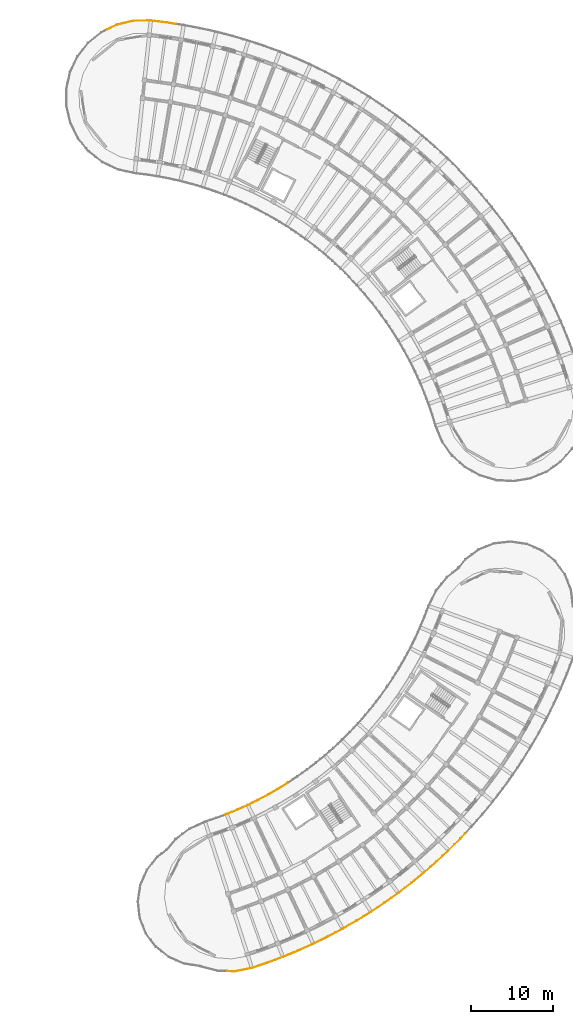
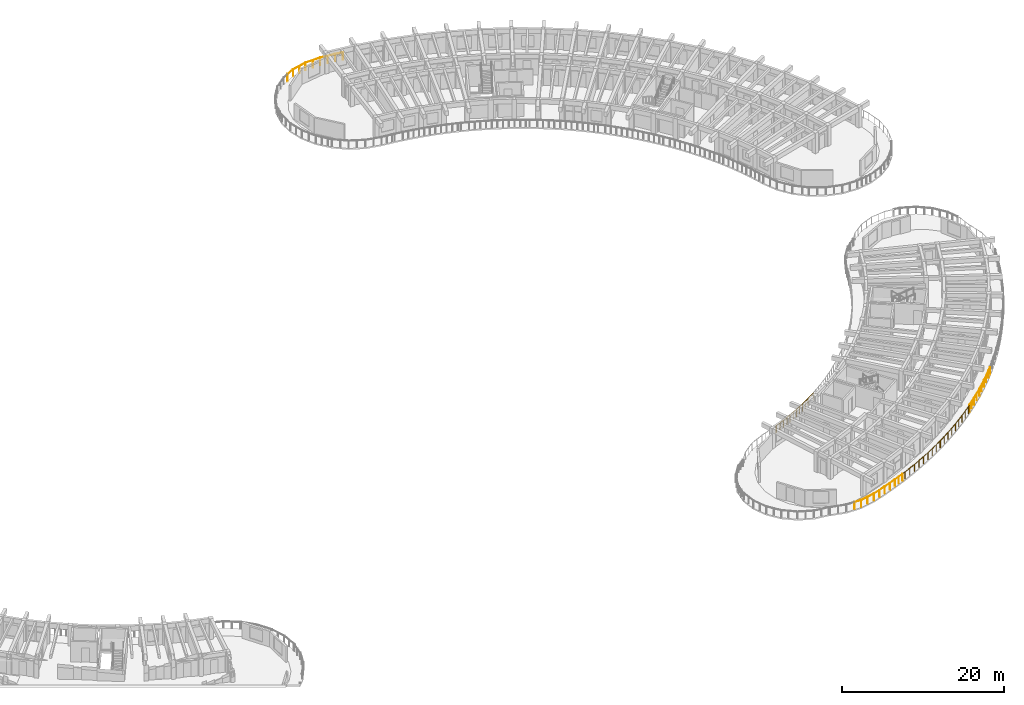
# One storey, part 74 of 81: 6 railings.
"""IFC4 building model written with IfcOpenShell, lengths in metres."""

import ifcopenshell
import ifcopenshell.guid

model = None  # the IFC model being written
_history = None  # IfcOwnerHistory: only IFC2X3 demands one
_inside = {}  # id of a spatial element -> (the spatial element, [elements in it])
_under = {}  # id of a project, library or spatial element -> (it, [spatial elements below it])
_declared = {}  # id of a project -> (the project, [libraries it declares])
_typed = {}  # id of a type object -> (the type object, [elements of that type])
_made_of = {}  # id of a material, layer set ... -> (it, [elements and type objects made of it])


def new_model(schema):
    """Start an empty IFC model of exactly this schema.

    Asked for "IFC4X3", IfcOpenShell would pick the latest addendum, in which some entities
    have other attributes; the version numbers below select the first issue.
    IFC2X3 requires an IfcOwnerHistory on every rooted entity: one is made here for all.
    """
    global model, _history
    if schema == "IFC4X3":
        model = ifcopenshell.file(schema_version=(4, 3, 0, 0))
    else:
        model = ifcopenshell.file(schema=schema)
    _inside.clear()
    _under.clear()
    _declared.clear()
    _typed.clear()
    _made_of.clear()
    _history = None
    if model.schema == "IFC2X3":
        org = make("IfcOrganization", Name="unknown")
        user = make(
            "IfcPersonAndOrganization",
            ThePerson=make("IfcPerson", FamilyName="unknown"),
            TheOrganization=org,
        )
        app = make(
            "IfcApplication",
            ApplicationDeveloper=org,
            Version="unknown",
            ApplicationFullName="unknown",
            ApplicationIdentifier="unknown",
        )
        _history = make(
            "IfcOwnerHistory",
            OwningUser=user,
            OwningApplication=app,
            ChangeAction="ADDED",
            CreationDate=0,
        )
    return model


def make(cls, **values):
    """One entity of the class cls with the attributes given. An attribute that is None is left unset."""
    return model.create_entity(
        cls, **{name: value for name, value in values.items() if value is not None}
    )


def rooted(cls, **values):
    """An entity with a GlobalId (a new one), such as an element, a storey or a relation."""
    return make(cls, GlobalId=ifcopenshell.guid.new(), OwnerHistory=_history, **values)


def si_unit(unit_type, name, prefix=None):
    """IfcSIUnit, for example si_unit("LENGTHUNIT", "METRE", prefix="MILLI")."""
    return make("IfcSIUnit", UnitType=unit_type, Prefix=prefix, Name=name)


def assignment(units):
    """IfcUnitAssignment: the units of a project."""
    return None if units is None else make("IfcUnitAssignment", Units=units)


def point(xyz):
    """IfcCartesianPoint."""
    return None if xyz is None else make("IfcCartesianPoint", Coordinates=xyz)


def direction(xyz):
    """IfcDirection."""
    return None if xyz is None else make("IfcDirection", DirectionRatios=xyz)


def frame(location, z_axis=None, x_axis=None):
    """IfcAxis2Placement3D, a coordinate frame: its origin and axes. An axis left out is left unset."""
    return make(
        "IfcAxis2Placement3D",
        Location=point(location),
        Axis=direction(z_axis),
        RefDirection=direction(x_axis),
    )


def frame_2d(location, x_axis=None):
    """IfcAxis2Placement2D, a coordinate frame in the plane: its origin and x axis."""
    return make(
        "IfcAxis2Placement2D", Location=point(location), RefDirection=direction(x_axis)
    )


def origin():
    """The frame at (0, 0, 0) with its axes left unset."""
    return frame((0.0, 0.0, 0.0))


def origin_2d():
    """The frame at (0, 0) in the plane with its x axis left unset."""
    return frame_2d((0.0, 0.0))


def place(relative_to, where):
    """IfcLocalPlacement: puts the frame where relative to a parent placement (None: the world)."""
    return make(
        "IfcLocalPlacement", PlacementRelTo=relative_to, RelativePlacement=where
    )


def context(
    kind, dimensions, precision=None, world=None, true_north=None, identifier=None
):
    """IfcGeometricRepresentationContext, for example the 3D "Model" context."""
    return make(
        "IfcGeometricRepresentationContext",
        ContextIdentifier=identifier,
        ContextType=kind,
        CoordinateSpaceDimension=dimensions,
        Precision=precision,
        WorldCoordinateSystem=world,
        TrueNorth=true_north,
    )


def subcontext(parent, identifier, kind, view, scale=None):
    """IfcGeometricRepresentationSubContext, for example "Body" below "Model"."""
    return make(
        "IfcGeometricRepresentationSubContext",
        ContextIdentifier=identifier,
        ContextType=kind,
        ParentContext=parent,
        TargetScale=scale,
        TargetView=view,
    )


def project(units=None, contexts=None):
    """IfcProject with its units and contexts."""
    return rooted(
        "IfcProject",
        Name="project",
        RepresentationContexts=contexts,
        UnitsInContext=assignment(units),
    )


def spatial(cls, under=None, at=None, **own):
    """A site, building, storey or space (cls), placed at a placement, below another one or the project."""
    s = rooted(cls, ObjectPlacement=at, **own)
    if under is not None:
        _under.setdefault(under.id(), (under, []))[1].append(s)
    return s


def profile(cls, at=None, kind="AREA", **sizes):
    """A parametric profile (cls). Its sizes go by their IFC names, for example OverallWidth=200.0."""
    return make(cls, ProfileType=kind, Position=at, **sizes)


def circle(**sizes):
    """IfcCircleProfileDef."""
    return profile("IfcCircleProfileDef", **sizes)


def extrude(swept, where, along, depth):
    """IfcExtrudedAreaSolid: the profile swept, set in the frame where, extruded along a direction by depth."""
    return make(
        "IfcExtrudedAreaSolid",
        SweptArea=swept,
        Position=where,
        ExtrudedDirection=direction(along),
        Depth=depth,
    )


def shape(context_of_items, identifier, shape_type, items):
    """IfcShapeRepresentation: the items that make up one representation, for example the "Body"."""
    return make(
        "IfcShapeRepresentation",
        ContextOfItems=context_of_items,
        RepresentationIdentifier=identifier,
        RepresentationType=shape_type,
        Items=items,
    )


def material(Name=None, Category=None):
    """IfcMaterial."""
    return make("IfcMaterial", Name=Name, Category=Category)


def made_of(thing, what):
    """Note that an element or type object is made of a material, layer set ...; save() writes the relation."""
    if what is not None:
        _made_of.setdefault(what.id(), (what, []))[1].append(thing)
    return thing


def type_object(cls, material=None, **own):
    """A type object (cls), such as IfcWallType, which elements share."""
    return made_of(rooted(cls, **own), material)


def element(
    cls,
    number,
    at=None,
    inside=None,
    cuts=None,
    type_object=None,
    material=None,
    context=None,
    identifier="Body",
    shape_type=None,
    held_by="IfcProductDefinitionShape",
    body=None,
    shapes=None,
    **own,
):
    """One element of the class cls, such as IfcWall. Its Tag is "e" and its number.

    at: its placement. inside: the storey or other place that contains it. cuts: it is an
    opening in that element (IfcRelVoidsElement). A single representation is given by context,
    identifier, shape_type and body (its items); several are given by shapes. held_by: the class
    of the entity that holds the representations. save() writes the other relations.
    """
    e = rooted(cls, Tag="e%d" % number, ObjectPlacement=at, **own)
    if body is not None:
        shapes = [shape(context, identifier, shape_type, body)]
    if shapes is not None:
        e.Representation = make(held_by, Representations=shapes)
    if inside is not None:
        _inside.setdefault(inside.id(), (inside, []))[1].append(e)
    if cuts is not None:
        rooted(
            "IfcRelVoidsElement", RelatingBuildingElement=cuts, RelatedOpeningElement=e
        )
    if type_object is not None:
        _typed.setdefault(type_object.id(), (type_object, []))[1].append(e)
    return made_of(e, material)


def aggregate(whole, parts):
    """IfcRelAggregates: a whole, such as a stair, and the parts it consists of."""
    return rooted("IfcRelAggregates", RelatingObject=whole, RelatedObjects=parts)


def save(model, path):
    """Write the relations noted so far, then the file.

    IfcRelAggregates (storeys below a building ...), IfcRelContainedInSpatialStructure (elements
    in a storey), IfcRelDefinesByType, IfcRelAssociatesMaterial and IfcRelDeclares: one each for
    every whole, place, type object, material and project.
    """
    for whole, parts in _under.values():
        aggregate(whole, parts)
    for where, things in _inside.values():
        rooted(
            "IfcRelContainedInSpatialStructure",
            RelatedElements=things,
            RelatingStructure=where,
        )
    for kind, things in _typed.values():
        rooted("IfcRelDefinesByType", RelatedObjects=things, RelatingType=kind)
    for what, things in _made_of.values():
        rooted("IfcRelAssociatesMaterial", RelatedObjects=things, RelatingMaterial=what)
    for by, libraries in _declared.values():
        rooted("IfcRelDeclares", RelatingContext=by, RelatedDefinitions=libraries)
    model.write(path)


model = new_model("IFC4")

# Units and contexts
model_context = context("Model", 3, precision=1e-05, world=origin(), true_north=direction((0.0, 1.0)))
body_context = subcontext(model_context, "Body", "Model", "MODEL_VIEW")
ifc_project = project(units=[si_unit("LENGTHUNIT", "METRE"), si_unit("AREAUNIT", "SQUARE_METRE"), si_unit("VOLUMEUNIT", "CUBIC_METRE"), si_unit("PLANEANGLEUNIT", "RADIAN"), si_unit("MASSUNIT", "GRAM", prefix="KILO")], contexts=[model_context])

# Site, building, storey
site_placement = place(None, origin())
site = spatial("IfcSite", under=ifc_project, at=site_placement, CompositionType="ELEMENT")
building_placement = place(site_placement, origin())
building = spatial("IfcBuilding", under=site, at=building_placement, Name="Tanwirah Colonnade Gardens", CompositionType="ELEMENT")
storey_placement = place(building_placement, frame((0.0, 0.0, 18.919921875)))
storey = spatial("IfcBuildingStorey", under=building, at=storey_placement, Name="L05", CompositionType="ELEMENT", Elevation=18.919921875)

# Railings
ifc_material = material(Name="Precast concrete C40/50", Category="concrete")
railing_type_1 = type_object("IfcRailingType", Name="BAL-EXT110", PredefinedType="BALUSTRADE", material=ifc_material)
railing_1_placement = place(storey_placement, frame((136.47412109375, 24.726806640625, 0.0)))
element("IfcRailing", 1, at=railing_1_placement, inside=storey, type_object=railing_type_1, Name="Block D L05 Balcony Ribbon Balustrade 2", PredefinedType="BALUSTRADE", context=body_context, shape_type="SweptSolid", body=[
    extrude(circle(Radius=0.02392578125, at=origin_2d()), frame((0.029296875, 0.010986328125, 1.076171875), z_axis=(0.936554064277, 0.35052315856, 0.0), x_axis=(-0.35052315856, 0.936554064277, 0.0)), (0.0, 0.0, 1.0), 0.11572265625),
    extrude(circle(Radius=0.02392578125, at=origin_2d()), frame((0.1982421875, 0.075439453125, 1.076171875), z_axis=(0.924300384608, 0.381665821122, 0.0), x_axis=(-0.381665821122, 0.924300384608, 0.0)), (0.0, 0.0, 1.0), 1.331298828125),
    extrude(circle(Radius=0.02392578125, at=origin_2d()), frame((1.48876953125, 0.609619140625, 1.076171875), z_axis=(0.911383314029, 0.411558568018, 0.0), x_axis=(-0.411558568018, 0.911383314029, 0.0)), (0.0, 0.0, 1.0), 1.33154296875),
    extrude(circle(Radius=0.02392578125, at=origin_2d()), frame((2.760986328125, 1.185546875, 1.076171875), z_axis=(0.897349966121, 0.441319655469, 0.0), x_axis=(-0.441319655469, 0.897349966121, 0.0)), (0.0, 0.0, 1.0), 1.33154296875),
    extrude(circle(Radius=0.02392578125, at=origin_2d()), frame((4.013916015625, 1.802734375, 1.076171875), z_axis=(0.88242081136, 0.470460956593, 0.0), x_axis=(-0.470460956593, 0.88242081136, 0.0)), (0.0, 0.0, 1.0), 1.331298828125),
    extrude(circle(Radius=0.02392578125, at=origin_2d()), frame((5.245849609375, 2.460693359375, 1.076171875), z_axis=(0.866535241782, 0.499115893104, 0.0), x_axis=(-0.499115893104, 0.866535241782, 0.0)), (0.0, 0.0, 1.0), 1.33154296875),
    extrude(circle(Radius=0.02392578125, at=origin_2d()), frame((6.45556640625, 3.15869140625, 1.076171875), z_axis=(0.849738971818, 0.527203641655, 0.0), x_axis=(-0.527203641655, 0.849738971818, 0.0)), (0.0, 0.0, 1.0), 1.2734375),
    extrude(circle(Radius=0.02099609375, at=origin_2d()), origin(), (0.0, 0.0, 1.0), 1.049072265625),
    extrude(circle(Radius=0.02099609375, at=origin_2d()), frame((0.1669921875, 0.0625, 0.0)), (0.0, 0.0, 1.0), 1.049072265625),
    extrude(circle(Radius=0.02099609375, at=origin_2d()), frame((0.8134765625, 0.32958984375, 0.0)), (0.0, 0.0, 1.0), 1.049072265625),
    extrude(circle(Radius=0.02099609375, at=origin_2d()), frame((1.457763671875, 0.595458984375, 0.0)), (0.0, 0.0, 1.0), 1.049072265625),
    extrude(circle(Radius=0.02099609375, at=origin_2d()), frame((2.095458984375, 0.883544921875, 0.0)), (0.0, 0.0, 1.0), 1.049072265625),
    extrude(circle(Radius=0.02099609375, at=origin_2d()), frame((2.730712890625, 1.17041015625, 0.0)), (0.0, 0.0, 1.0), 1.049072265625),
    extrude(circle(Radius=0.02099609375, at=origin_2d()), frame((3.3583984375, 1.479248046875, 0.0)), (0.0, 0.0, 1.0), 1.049072265625),
    extrude(circle(Radius=0.02099609375, at=origin_2d()), frame((3.98388671875, 1.786865234375, 0.0)), (0.0, 0.0, 1.0), 1.049072265625),
    extrude(circle(Radius=0.02099609375, at=origin_2d()), frame((4.601318359375, 2.115966796875, 0.0)), (0.0, 0.0, 1.0), 1.049072265625),
    extrude(circle(Radius=0.02099609375, at=origin_2d()), frame((5.21630859375, 2.44384765625, 0.0)), (0.0, 0.0, 1.0), 1.049072265625),
    extrude(circle(Radius=0.02099609375, at=origin_2d()), frame((5.82275390625, 2.79296875, 0.0)), (0.0, 0.0, 1.0), 1.049072265625),
    extrude(circle(Radius=0.02099609375, at=origin_2d()), frame((6.4267578125, 3.140869140625, 0.0)), (0.0, 0.0, 1.0), 1.049072265625),
    extrude(circle(Radius=0.02099609375, at=origin_2d()), frame((7.564208984375, 3.846435546875, 0.0)), (0.0, 0.0, 1.0), 1.049072265625),
])
railing_2_placement = place(storey_placement, frame((165.611328125, 22.440673828125, 0.0)))
element("IfcRailing", 2, at=railing_2_placement, inside=storey, type_object=railing_type_1, Name="Block D L05 Balcony Ribbon Balustrade 13", PredefinedType="BALUSTRADE", context=body_context, shape_type="SweptSolid", body=[
    extrude(circle(Radius=0.02392578125, at=origin_2d()), frame((-0.021484375, -0.022705078125, 1.076171875), z_axis=(-0.684408466617, -0.729098793596, 0.0), x_axis=(0.729098793596, -0.684408466617, 0.0)), (0.0, 0.0, 1.0), 0.80615234375),
    extrude(circle(Radius=0.02392578125, at=origin_2d()), frame((-0.61669921875, -0.6552734375, 1.076171875), z_axis=(-0.707897217537, -0.706315460261, 0.0), x_axis=(0.706315460261, -0.707897217537, 0.0)), (0.0, 0.0, 1.0), 1.944091796875),
    extrude(circle(Radius=0.02392578125, at=origin_2d()), frame((-2.037841796875, -2.07177734375, 1.076171875), z_axis=(-0.730610060212, -0.682794947196, 0.0), x_axis=(0.682794947196, -0.730610060212, 0.0)), (0.0, 0.0, 1.0), 1.944091796875),
    extrude(circle(Radius=0.02392578125, at=origin_2d()), frame((-3.50439453125, -3.441162109375, 1.076171875), z_axis=(-0.752508858808, -0.658582126553, 0.0), x_axis=(0.658582126553, -0.752508858808, 0.0)), (0.0, 0.0, 1.0), 1.944091796875),
    extrude(circle(Radius=0.02392578125, at=origin_2d()), frame((-5.01513671875, -4.761962890625, 1.076171875), z_axis=(-0.773754787696, -0.633485223599, 0.0), x_axis=(0.633485223599, -0.773754787696, 0.0)), (0.0, 0.0, 1.0), 1.549072265625),
    extrude(circle(Radius=0.02099609375, at=origin_2d()), origin(), (0.0, 0.0, 1.0), 1.049072265625),
    extrude(circle(Radius=0.02099609375, at=origin_2d()), frame((-0.594482421875, -0.63330078125, 0.0)), (0.0, 0.0, 1.0), 1.049072265625),
    extrude(circle(Radius=0.02099609375, at=origin_2d()), frame((-1.3046875, -1.341796875, 0.0)), (0.0, 0.0, 1.0), 1.049072265625),
    extrude(circle(Radius=0.02099609375, at=origin_2d()), frame((-2.014892578125, -2.050537109375, 0.0)), (0.0, 0.0, 1.0), 1.049072265625),
    extrude(circle(Radius=0.02099609375, at=origin_2d()), frame((-2.748046875, -2.735595703125, 0.0)), (0.0, 0.0, 1.0), 1.049072265625),
    extrude(circle(Radius=0.02099609375, at=origin_2d()), frame((-3.48095703125, -3.420654296875, 0.0)), (0.0, 0.0, 1.0), 1.049072265625),
    extrude(circle(Radius=0.02099609375, at=origin_2d()), frame((-4.23583984375, -4.08154296875, 0.0)), (0.0, 0.0, 1.0), 1.049072265625),
    extrude(circle(Radius=0.02099609375, at=origin_2d()), frame((-4.990966796875, -4.7421875, 0.0)), (0.0, 0.0, 1.0), 1.049072265625),
    extrude(circle(Radius=0.02099609375, at=origin_2d()), frame((-5.614501953125, -5.252685546875, 0.0)), (0.0, 0.0, 1.0), 1.049072265625),
    extrude(circle(Radius=0.02099609375, at=origin_2d()), frame((-6.238037109375, -5.76318359375, 0.0)), (0.0, 0.0, 1.0), 1.049072265625),
])
railing_3_placement = place(storey_placement, frame((159.373291015625, 16.677490234375, 0.0)))
element("IfcRailing", 3, at=railing_3_placement, inside=storey, type_object=railing_type_1, Name="Block D L05 Balcony Ribbon Balustrade 14", PredefinedType="BALUSTRADE", context=body_context, shape_type="SweptSolid", body=[
    extrude(circle(Radius=0.02392578125, at=origin_2d()), frame((-0.024169921875, -0.019775390625, 1.076171875), z_axis=(-0.773516330263, -0.63377636972, 0.0), x_axis=(0.63377636972, -0.773516330263, 0.0)), (0.0, 0.0, 1.0), 0.332275390625),
    extrude(circle(Radius=0.02392578125, at=origin_2d()), frame((-0.330322265625, -0.269287109375, 1.076171875), z_axis=(-0.794033083107, -0.607874545388, 0.0), x_axis=(0.607874545388, -0.794033083107, 0.0)), (0.0, 0.0, 1.0), 1.944091796875),
    extrude(circle(Radius=0.02392578125, at=origin_2d()), frame((-1.924072265625, -1.488037109375, 1.076171875), z_axis=(-0.813486769226, -0.581583421612, 0.0), x_axis=(0.581583421612, -0.813486769226, 0.0)), (0.0, 0.0, 1.0), 1.944091796875),
    extrude(circle(Radius=0.02392578125, at=origin_2d()), frame((-3.55712890625, -2.654296875, 1.076171875), z_axis=(-0.832069011603, -0.554672119301, 0.0), x_axis=(0.554672119301, -0.832069011603, 0.0)), (0.0, 0.0, 1.0), 1.944091796875),
    extrude(circle(Radius=0.02392578125, at=origin_2d()), frame((-5.227294921875, -3.7666015625, 1.076171875), z_axis=(-0.84977735452, -0.527141771959, 0.0), x_axis=(0.527141771959, -0.84977735452, 0.0)), (0.0, 0.0, 1.0), 1.9443359375),
    extrude(circle(Radius=0.02392578125, at=origin_2d()), frame((-6.93310546875, -4.823486328125, 1.076171875), z_axis=(-0.86747675874, -0.497477711105, 0.0), x_axis=(0.497477711105, -0.86747675874, 0.0)), (0.0, 0.0, 1.0), 0.01611328125),
    extrude(circle(Radius=0.02099609375, at=origin_2d()), origin(), (0.0, 0.0, 1.0), 1.049072265625),
    extrude(circle(Radius=0.02099609375, at=origin_2d()), frame((-0.305419921875, -0.250244140625, 0.0)), (0.0, 0.0, 1.0), 1.049072265625),
    extrude(circle(Radius=0.02099609375, at=origin_2d()), frame((-1.10205078125, -0.860107421875, 0.0)), (0.0, 0.0, 1.0), 1.049072265625),
    extrude(circle(Radius=0.02099609375, at=origin_2d()), frame((-1.898681640625, -1.469970703125, 0.0)), (0.0, 0.0, 1.0), 1.049072265625),
    extrude(circle(Radius=0.02099609375, at=origin_2d()), frame((-2.71484375, -2.053466796875, 0.0)), (0.0, 0.0, 1.0), 1.049072265625),
    extrude(circle(Radius=0.02099609375, at=origin_2d()), frame((-3.531005859375, -2.636962890625, 0.0)), (0.0, 0.0, 1.0), 1.049072265625),
    extrude(circle(Radius=0.02099609375, at=origin_2d()), frame((-4.36572265625, -3.193359375, 0.0)), (0.0, 0.0, 1.0), 1.049072265625),
    extrude(circle(Radius=0.02099609375, at=origin_2d()), frame((-5.20068359375, -3.75, 0.0)), (0.0, 0.0, 1.0), 1.049072265625),
    extrude(circle(Radius=0.02099609375, at=origin_2d()), frame((-6.05322265625, -4.27880859375, 0.0)), (0.0, 0.0, 1.0), 1.049072265625),
    extrude(circle(Radius=0.02099609375, at=origin_2d()), frame((-6.906005859375, -4.807861328125, 0.0)), (0.0, 0.0, 1.0), 1.049072265625),
    extrude(circle(Radius=0.02099609375, at=origin_2d()), frame((-6.97412109375, -4.846923828125, 0.0)), (0.0, 0.0, 1.0), 1.049072265625),
])
railing_4_placement = place(storey_placement, frame((152.399169921875, 11.83056640625, 0.0)))
element("IfcRailing", 4, at=railing_4_placement, inside=storey, type_object=railing_type_1, Name="Block D L05 Balcony Ribbon Balustrade 15", PredefinedType="BALUSTRADE", context=body_context, shape_type="SweptSolid", body=[
    extrude(circle(Radius=0.02392578125, at=origin_2d()), frame((-0.027099609375, -0.015625, 1.076171875), z_axis=(-0.866562713918, -0.499068194586, 0.0), x_axis=(0.499068194586, -0.866562713918, 0.0)), (0.0, 0.0, 1.0), 1.865478515625),
    extrude(circle(Radius=0.02392578125, at=origin_2d()), frame((-1.6982421875, -0.976806640625, 1.076171875), z_axis=(-0.882416921514, -0.470468252516, 0.0), x_axis=(0.470468252516, -0.882416921514, 0.0)), (0.0, 0.0, 1.0), 1.944091796875),
    extrude(circle(Radius=0.02392578125, at=origin_2d()), frame((-3.469482421875, -1.920166015625, 1.076171875), z_axis=(-0.897352335885, -0.441314836916, 0.0), x_axis=(0.441314836916, -0.897352335885, 0.0)), (0.0, 0.0, 1.0), 1.944091796875),
    extrude(circle(Radius=0.02392578125, at=origin_2d()), frame((-5.2705078125, -2.8046875, 1.076171875), z_axis=(-0.911305810052, -0.411730155035, 0.0), x_axis=(0.411730155035, -0.911305810052, 0.0)), (0.0, 0.0, 1.0), 1.944091796875),
    extrude(circle(Radius=0.02392578125, at=origin_2d()), frame((-7.099365234375, -3.6298828125, 1.076171875), z_axis=(-0.924366510025, -0.381505642349, 0.0), x_axis=(0.381505642349, -0.924366510025, 0.0)), (0.0, 0.0, 1.0), 0.48974609375),
    extrude(circle(Radius=0.02099609375, at=origin_2d()), origin(), (0.0, 0.0, 1.0), 1.049072265625),
    extrude(circle(Radius=0.02099609375, at=origin_2d()), frame((-0.83544921875, -0.48095703125, 0.0)), (0.0, 0.0, 1.0), 1.049072265625),
    extrude(circle(Radius=0.02099609375, at=origin_2d()), frame((-1.670654296875, -0.962158203125, 0.0)), (0.0, 0.0, 1.0), 1.049072265625),
    extrude(circle(Radius=0.02099609375, at=origin_2d()), frame((-2.55615234375, -1.43408203125, 0.0)), (0.0, 0.0, 1.0), 1.049072265625),
    extrude(circle(Radius=0.02099609375, at=origin_2d()), frame((-3.44140625, -1.90625, 0.0)), (0.0, 0.0, 1.0), 1.049072265625),
    extrude(circle(Radius=0.02099609375, at=origin_2d()), frame((-4.341796875, -2.34912109375, 0.0)), (0.0, 0.0, 1.0), 1.049072265625),
    extrude(circle(Radius=0.02099609375, at=origin_2d()), frame((-5.241943359375, -2.791748046875, 0.0)), (0.0, 0.0, 1.0), 1.049072265625),
    extrude(circle(Radius=0.02099609375, at=origin_2d()), frame((-6.15625, -3.204833984375, 0.0)), (0.0, 0.0, 1.0), 1.049072265625),
    extrude(circle(Radius=0.02099609375, at=origin_2d()), frame((-7.070556640625, -3.617919921875, 0.0)), (0.0, 0.0, 1.0), 1.049072265625),
    extrude(circle(Radius=0.02099609375, at=origin_2d()), frame((-7.5810546875, -3.82861328125, 0.0)), (0.0, 0.0, 1.0), 1.049072265625),
])
railing_5_placement = place(storey_placement, frame((144.818115234375, 8.001953125, 0.0)))
element("IfcRailing", 5, at=railing_5_placement, inside=storey, type_object=railing_type_1, Name="Block D L05 Balcony Ribbon Balustrade 16", PredefinedType="BALUSTRADE", context=body_context, shape_type="SweptSolid", body=[
    extrude(circle(Radius=0.02392578125, at=origin_2d()), frame((-0.02880859375, -0.011962890625, 1.076171875), z_axis=(-0.924274302299, -0.381728979918, 0.0), x_axis=(0.381728979918, -0.924274302299, 0.0)), (0.0, 0.0, 1.0), 1.391845703125),
    extrude(circle(Radius=0.02392578125, at=origin_2d()), frame((-1.37353515625, -0.566162109375, 1.076171875), z_axis=(-0.93628917395, -0.351230099427, 0.0), x_axis=(0.351230099427, -0.93628917395, 0.0)), (0.0, 0.0, 1.0), 1.9443359375),
    extrude(circle(Radius=0.02392578125, at=origin_2d()), frame((-3.252685546875, -1.27001953125, 1.076171875), z_axis=(-0.947284297423, -0.320394225692, 0.0), x_axis=(0.320394225692, -0.947284297423, 0.0)), (0.0, 0.0, 1.0), 1.93994140625),
    extrude(circle(Radius=0.02392578125, at=origin_2d()), frame((-5.15087890625, -1.90771484375, 1.076171875), z_axis=(-0.980544729013, -0.196295782955, 0.0), x_axis=(0.196295782955, -0.980544729013, 0.0)), (0.0, 0.0, 1.0), 2.0283203125),
    extrude(circle(Radius=0.02392578125, at=origin_2d()), frame((-7.201416015625, -2.311279296875, 1.076171875), z_axis=(-0.999639478576, 0.026849820706, 0.0), x_axis=(-0.026849820706, -0.999639478576, 0.0)), (0.0, 0.0, 1.0), 0.883056640625),
    extrude(circle(Radius=0.02099609375, at=origin_2d()), origin(), (0.0, 0.0, 1.0), 1.049072265625),
    extrude(circle(Radius=0.02099609375, at=origin_2d()), frame((-0.672119140625, -0.277587890625, 0.0)), (0.0, 0.0, 1.0), 1.049072265625),
    extrude(circle(Radius=0.02099609375, at=origin_2d()), frame((-1.34423828125, -0.55517578125, 0.0)), (0.0, 0.0, 1.0), 1.049072265625),
    extrude(circle(Radius=0.02099609375, at=origin_2d()), frame((-2.28369140625, -0.90771484375, 0.0)), (0.0, 0.0, 1.0), 1.049072265625),
    extrude(circle(Radius=0.02099609375, at=origin_2d()), frame((-3.22314453125, -1.260009765625, 0.0)), (0.0, 0.0, 1.0), 1.049072265625),
    extrude(circle(Radius=0.02099609375, at=origin_2d()), frame((-4.171630859375, -1.580810546875, 0.0)), (0.0, 0.0, 1.0), 1.049072265625),
    extrude(circle(Radius=0.02099609375, at=origin_2d()), frame((-5.1201171875, -1.901611328125, 0.0)), (0.0, 0.0, 1.0), 1.049072265625),
    extrude(circle(Radius=0.02099609375, at=origin_2d()), frame((-6.14501953125, -2.10693359375, 0.0)), (0.0, 0.0, 1.0), 1.049072265625),
    extrude(circle(Radius=0.02099609375, at=origin_2d()), frame((-7.170166015625, -2.31201171875, 0.0)), (0.0, 0.0, 1.0), 1.049072265625),
    extrude(circle(Radius=0.02099609375, at=origin_2d()), frame((-8.115478515625, -2.28662109375, 0.0)), (0.0, 0.0, 1.0), 1.049072265625),
])
railing_type_2 = type_object("IfcRailingType", Name="BAL-EXT112", PredefinedType="BALUSTRADE", material=ifc_material)
railing_6_placement = place(storey_placement, frame((122.1416015625, 120.123779296875, 0.0)))
element("IfcRailing", 6, at=railing_6_placement, inside=storey, type_object=railing_type_2, Name="Block B L05 Balcony Ribbon Balustrade 10", PredefinedType="BALUSTRADE", context=body_context, shape_type="SweptSolid", body=[
    extrude(circle(Radius=0.02392578125, at=origin_2d()), frame((0.028076171875, 0.013671875, 1.09619140625), z_axis=(0.897642941236, 0.440723439414, 0.0), x_axis=(-0.440723439414, 0.897642941236, 0.0)), (0.0, 0.0, 1.0), 1.21875),
    extrude(circle(Radius=0.02392578125, at=origin_2d()), frame((1.1806640625, 0.57177734375, 1.09619140625), z_axis=(0.973245052386, 0.229769597654, 0.0), x_axis=(-0.229769597654, 0.973245052386, 0.0)), (0.0, 0.0, 1.0), 2.0244140625),
    extrude(circle(Radius=0.02392578125, at=origin_2d()), frame((3.21240234375, 1.04443359375, 1.09619140625), z_axis=(0.999972077233, 0.00747293472, 0.0), x_axis=(-0.00747293472, 0.999972077233, 0.0)), (0.0, 0.0, 1.0), 2.0283203125),
    extrude(circle(Radius=0.02392578125, at=origin_2d()), frame((5.302978515625, 1.05615234375, 1.09619140625), z_axis=(0.992665725565, -0.120891510403, 0.0), x_axis=(0.120891510403, 0.992665725565, 0.0)), (0.0, 0.0, 1.0), 1.955078125),
    extrude(circle(Radius=0.02392578125, at=origin_2d()), frame((7.3056640625, 0.81103515625, 1.09619140625), z_axis=(0.988133367747, -0.153598331844, 0.0), x_axis=(0.153598331844, 0.988133367747, 0.0)), (0.0, 0.0, 1.0), 0.961181640625),
    extrude(circle(Radius=0.02099609375, at=origin_2d()), origin(), (0.0, 0.0, 1.0), 1.069091796875),
    extrude(circle(Radius=0.02099609375, at=origin_2d()), frame((1.150146484375, 0.564697265625, 0.0)), (0.0, 0.0, 1.0), 1.069091796875),
    extrude(circle(Radius=0.02099609375, at=origin_2d()), frame((2.16552734375, 0.804443359375, 0.0)), (0.0, 0.0, 1.0), 1.069091796875),
    extrude(circle(Radius=0.02099609375, at=origin_2d()), frame((3.18115234375, 1.044189453125, 0.0)), (0.0, 0.0, 1.0), 1.069091796875),
    extrude(circle(Radius=0.02099609375, at=origin_2d()), frame((4.2265625, 1.052001953125, 0.0)), (0.0, 0.0, 1.0), 1.069091796875),
    extrude(circle(Radius=0.02099609375, at=origin_2d()), frame((5.27197265625, 1.059814453125, 0.0)), (0.0, 0.0, 1.0), 1.069091796875),
    extrude(circle(Radius=0.02099609375, at=origin_2d()), frame((6.2734375, 0.93798828125, 0.0)), (0.0, 0.0, 1.0), 1.069091796875),
    extrude(circle(Radius=0.02099609375, at=origin_2d()), frame((7.274658203125, 0.81591796875, 0.0)), (0.0, 0.0, 1.0), 1.069091796875),
    extrude(circle(Radius=0.02099609375, at=origin_2d()), frame((8.2861328125, 0.65869140625, 0.0)), (0.0, 0.0, 1.0), 1.069091796875),
])

save(model, "model.ifc")
